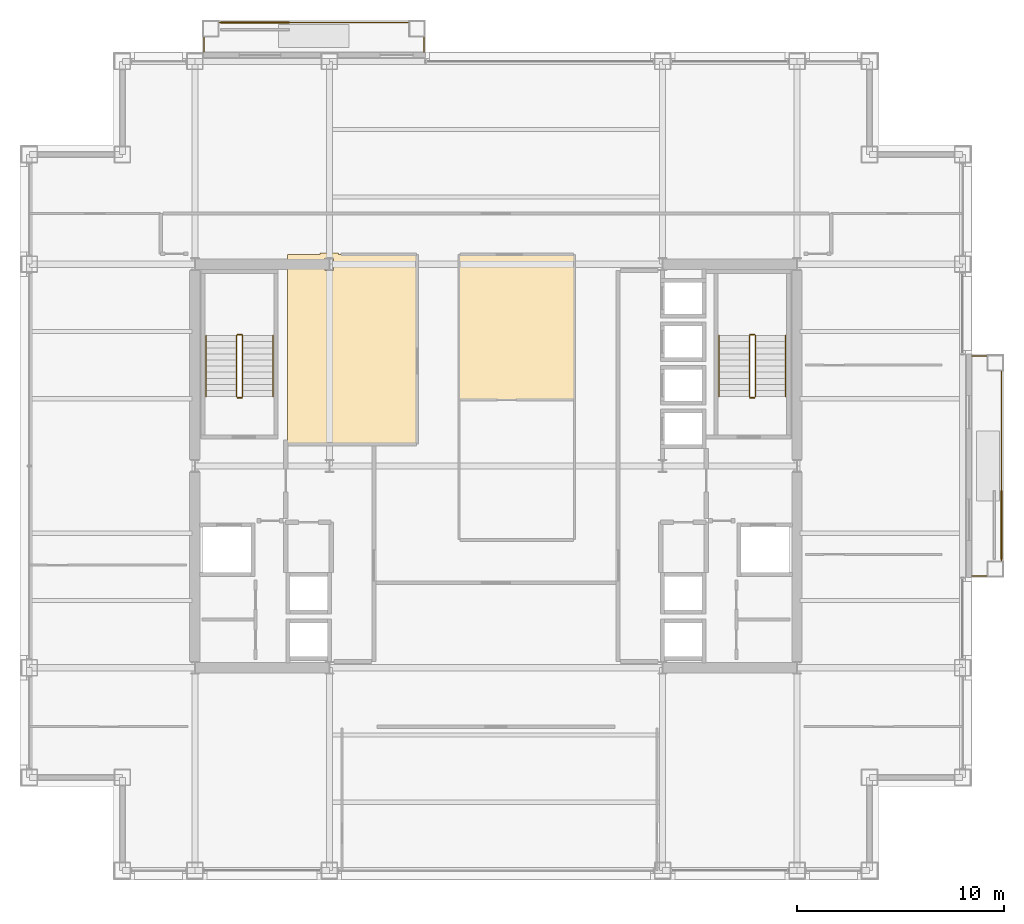
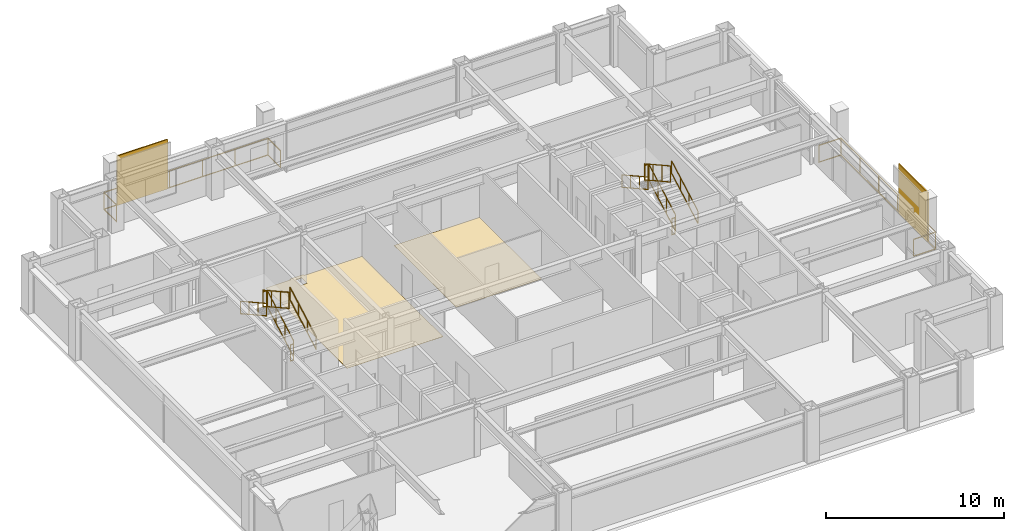
# One storey, part 28 of 29: 14 railings, 2 coverings, 2 shading devices.
"""IFC4 building model written with IfcOpenShell, lengths in metres."""

from ifc_helpers import new_model, si_unit, direction, frame, origin, origin_2d, place, context, subcontext, project, spatial, polyline, rectangle, outline, extrude, material, layer, layer_set, type_object, element, save


model = new_model("IFC4")

# Units and contexts
model_context = context("Model", 3, precision=1e-05, world=origin(), true_north=direction((0.0, 1.0)))
body_context = subcontext(model_context, "Body", "Model", "MODEL_VIEW")
ifc_project = project(units=[si_unit("LENGTHUNIT", "METRE"), si_unit("AREAUNIT", "SQUARE_METRE"), si_unit("VOLUMEUNIT", "CUBIC_METRE"), si_unit("PLANEANGLEUNIT", "RADIAN"), si_unit("MASSUNIT", "GRAM", prefix="KILO")], contexts=[model_context])

# Site, building, storey
site_placement = place(None, origin())
site = spatial("IfcSite", under=ifc_project, at=site_placement, CompositionType="ELEMENT")
building_placement = place(site_placement, origin())
building = spatial("IfcBuilding", under=site, at=building_placement, Name="Brelmoor Portico Tower", CompositionType="ELEMENT")
storey_placement = place(building_placement, frame((0.0, 0.0, 127.800048828125)))
storey = spatial("IfcBuildingStorey", under=building, at=storey_placement, Name="L33", CompositionType="ELEMENT", Elevation=127.800048828125)

# Coverings
ifc_material_1 = material(Name="Solution-Dyed Nylon Acoustic Carpet Tile", Category="textile")
ifc_layer_1 = layer(ifc_material_1, 0.013916015625)
ifc_layer_set_1 = layer_set([ifc_layer_1], Name="Solution-Dyed Nylon Acoustic Carpet Tile")
covering_type_1 = type_object("IfcCoveringType", Name="CV-FLR-CARPET-14", PredefinedType="FLOORING", material=ifc_layer_set_1)
covering_1_placement = place(storey_placement, origin())
element("IfcCovering", 1, at=covering_1_placement, inside=storey, type_object=covering_type_1, Name="L33 Architectural Floor Finish 01", PredefinedType="FLOORING", context=body_context, shape_type="SweptSolid", body=[
    extrude(outline(polyline([(-10.080078125, 10.2099609375), (-8.5, 10.2099609375), (-8.5, 10.300048828125), (-7.60009765625, 10.300048828125), (-7.60009765625, 10.2099609375), (-3.840087890625, 10.2099609375), (-3.840087890625, 1.090087890625), (-10.080078125, 1.090087890625), (-10.080078125, 10.2099609375)]), holes=[polyline([(-7.85009765625, 9.449951171875), (-7.85009765625, 10.050048828125), (-8.25, 10.050048828125), (-8.25, 9.449951171875), (-7.85009765625, 9.449951171875)])]), origin(), (0.0, 0.0, 1.0), 0.013916015625),
])
ifc_material_2 = material(Name="Rectified Vitrified Porcelain Floor Tile", Category="ceramic")
ifc_layer_2 = layer(ifc_material_2, 0.01806640625)
ifc_layer_set_2 = layer_set([ifc_layer_2], Name="Rectified Vitrified Porcelain Floor Tile")
covering_type_2 = type_object("IfcCoveringType", Name="CV-FLR-PORCELAIN-18", PredefinedType="FLOORING", material=ifc_layer_set_2)
covering_2_placement = place(storey_placement, origin())
element("IfcCovering", 2, at=covering_2_placement, inside=storey, type_object=covering_type_2, Name="L33 Architectural Floor Finish 02", PredefinedType="FLOORING", context=body_context, shape_type="SweptSolid", body=[
    extrude(outline(polyline([(-1.760009765625, 3.219970703125), (-1.760009765625, 10.2099609375), (3.780029296875, 10.2099609375), (3.780029296875, 3.219970703125), (-1.760009765625, 3.219970703125)])), origin(), (0.0, 0.0, 1.0), 0.01806640625),
])

# Railings
ifc_material_3 = material(Name="Perforated Pale Champagne Aluminium Fretwork Guard", Category="aluminium")
railing_type_1 = type_object("IfcRailingType", Name="RL-BALUSTRADE-1200", PredefinedType="BALUSTRADE", material=ifc_material_3)
railing_1_placement = place(storey_placement, frame((-14.1201171875, 20.0, 0.0)))
element("IfcRailing", 3, at=railing_1_placement, inside=storey, type_object=railing_type_1, Name="L33 Tree Balcony Fretwork Balustrade N", PredefinedType="BALUSTRADE", context=body_context, shape_type="SweptSolid", body=[
    extrude(rectangle(XDim=0.048095703125, YDim=0.048095703125, at=origin_2d()), frame((0.0, 0.0, 1.17578125), z_axis=(0.0, 1.0, 0.0), x_axis=(-1.0, 0.0, 0.0)), (0.0, 0.0, 1.0), 1.429931640625),
    extrude(rectangle(XDim=0.048095703125, YDim=0.048095703125, at=origin_2d()), frame((0.0, 0.0, 0.02392578125), z_axis=(0.0, 1.0, 0.0), x_axis=(-1.0, 0.0, 0.0)), (0.0, 0.0, 1.0), 1.429931640625),
    extrude(rectangle(XDim=0.048095703125, YDim=0.048095703125, at=origin_2d()), frame((0.0, 1.429931640625, 1.17578125), z_axis=(1.0, 0.0, 0.0), x_axis=(0.0, 1.0, 0.0)), (0.0, 0.0, 1.0), 10.64013671875),
    extrude(rectangle(XDim=0.048095703125, YDim=0.048095703125, at=origin_2d()), frame((0.0, 1.429931640625, 0.02392578125), z_axis=(1.0, 0.0, 0.0), x_axis=(0.0, 1.0, 0.0)), (0.0, 0.0, 1.0), 10.64013671875),
    extrude(rectangle(XDim=0.048095703125, YDim=0.048095703125, at=origin_2d()), frame((10.64013671875, 1.429931640625, 1.17578125), z_axis=(0.0, -1.0, 0.0), x_axis=(1.0, 0.0, 0.0)), (0.0, 0.0, 1.0), 1.429931640625),
    extrude(rectangle(XDim=0.048095703125, YDim=0.048095703125, at=origin_2d()), frame((10.64013671875, 1.429931640625, 0.02392578125), z_axis=(0.0, -1.0, 0.0), x_axis=(1.0, 0.0, 0.0)), (0.0, 0.0, 1.0), 1.429931640625),
    extrude(rectangle(XDim=0.0419921875, YDim=0.0419921875, at=origin_2d()), origin(), (0.0, 0.0, 1.0), 1.15185546875),
    extrude(rectangle(XDim=0.0419921875, YDim=0.0419921875, at=origin_2d()), frame((0.0, 1.429931640625, 0.0)), (0.0, 0.0, 1.0), 1.15185546875),
    extrude(rectangle(XDim=0.0419921875, YDim=0.0419921875, at=origin_2d()), frame((2.1279296875, 1.429931640625, 0.0)), (0.0, 0.0, 1.0), 1.15185546875),
    extrude(rectangle(XDim=0.0419921875, YDim=0.0419921875, at=origin_2d()), frame((4.256103515625, 1.429931640625, 0.0)), (0.0, 0.0, 1.0), 1.15185546875),
    extrude(rectangle(XDim=0.0419921875, YDim=0.0419921875, at=origin_2d()), frame((6.384033203125, 1.429931640625, 0.0)), (0.0, 0.0, 1.0), 1.15185546875),
    extrude(rectangle(XDim=0.0419921875, YDim=0.0419921875, at=origin_2d()), frame((8.51220703125, 1.429931640625, 0.0)), (0.0, 0.0, 1.0), 1.15185546875),
    extrude(rectangle(XDim=0.0419921875, YDim=0.0419921875, at=origin_2d()), frame((10.64013671875, 1.429931640625, 0.0)), (0.0, 0.0, 1.0), 1.15185546875),
    extrude(rectangle(XDim=0.0419921875, YDim=0.0419921875, at=origin_2d()), frame((10.64013671875, 0.0, 0.0)), (0.0, 0.0, 1.0), 1.15185546875),
])
railing_2_placement = place(storey_placement, frame((23.0, -5.320068359375, 0.0)))
element("IfcRailing", 4, at=railing_2_placement, inside=storey, type_object=railing_type_1, Name="L33 Tree Balcony Fretwork Balustrade E", PredefinedType="BALUSTRADE", context=body_context, shape_type="SweptSolid", body=[
    extrude(rectangle(XDim=0.048095703125, YDim=0.048095703125, at=origin_2d()), frame((0.0, 0.0, 1.17578125), z_axis=(1.0, 0.0, 0.0), x_axis=(0.0, 1.0, 0.0)), (0.0, 0.0, 1.0), 1.429931640625),
    extrude(rectangle(XDim=0.048095703125, YDim=0.048095703125, at=origin_2d()), frame((0.0, 0.0, 0.02392578125), z_axis=(1.0, 0.0, 0.0), x_axis=(0.0, 1.0, 0.0)), (0.0, 0.0, 1.0), 1.429931640625),
    extrude(rectangle(XDim=0.048095703125, YDim=0.048095703125, at=origin_2d()), frame((1.429931640625, 0.0, 1.17578125), z_axis=(0.0, 1.0, 0.0), x_axis=(-1.0, 0.0, 0.0)), (0.0, 0.0, 1.0), 10.64013671875),
    extrude(rectangle(XDim=0.048095703125, YDim=0.048095703125, at=origin_2d()), frame((1.429931640625, 0.0, 0.02392578125), z_axis=(0.0, 1.0, 0.0), x_axis=(-1.0, 0.0, 0.0)), (0.0, 0.0, 1.0), 10.64013671875),
    extrude(rectangle(XDim=0.048095703125, YDim=0.048095703125, at=origin_2d()), frame((1.429931640625, 10.64013671875, 1.17578125), z_axis=(-1.0, 0.0, 0.0), x_axis=(0.0, -1.0, 0.0)), (0.0, 0.0, 1.0), 1.429931640625),
    extrude(rectangle(XDim=0.048095703125, YDim=0.048095703125, at=origin_2d()), frame((1.429931640625, 10.64013671875, 0.02392578125), z_axis=(-1.0, 0.0, 0.0), x_axis=(0.0, -1.0, 0.0)), (0.0, 0.0, 1.0), 1.429931640625),
    extrude(rectangle(XDim=0.0419921875, YDim=0.0419921875, at=origin_2d()), origin(), (0.0, 0.0, 1.0), 1.15185546875),
    extrude(rectangle(XDim=0.0419921875, YDim=0.0419921875, at=origin_2d()), frame((1.429931640625, 0.0, 0.0)), (0.0, 0.0, 1.0), 1.15185546875),
    extrude(rectangle(XDim=0.0419921875, YDim=0.0419921875, at=origin_2d()), frame((1.429931640625, 2.1279296875, 0.0)), (0.0, 0.0, 1.0), 1.15185546875),
    extrude(rectangle(XDim=0.0419921875, YDim=0.0419921875, at=origin_2d()), frame((1.429931640625, 4.256103515625, 0.0)), (0.0, 0.0, 1.0), 1.15185546875),
    extrude(rectangle(XDim=0.0419921875, YDim=0.0419921875, at=origin_2d()), frame((1.429931640625, 6.384033203125, 0.0)), (0.0, 0.0, 1.0), 1.15185546875),
    extrude(rectangle(XDim=0.0419921875, YDim=0.0419921875, at=origin_2d()), frame((1.429931640625, 8.51220703125, 0.0)), (0.0, 0.0, 1.0), 1.15185546875),
    extrude(rectangle(XDim=0.0419921875, YDim=0.0419921875, at=origin_2d()), frame((1.429931640625, 10.64013671875, 0.0)), (0.0, 0.0, 1.0), 1.15185546875),
    extrude(rectangle(XDim=0.0419921875, YDim=0.0419921875, at=origin_2d()), frame((0.0, 10.64013671875, 0.0)), (0.0, 0.0, 1.0), 1.15185546875),
])
ifc_material_4 = material(Name="Painted Tubular Steel Q235B", Category="steel")
railing_type_2 = type_object("IfcRailingType", Name="RL-STAIR-GUARD", PredefinedType="GUARDRAIL", material=ifc_material_4)
railing_3_placement = place(storey_placement, frame((-12.239990234375, 3.35009765625, 0.16357421875)))
element("IfcRailing", 5, at=railing_3_placement, inside=storey, type_object=railing_type_2, Name="L33 ST-W stair guard 1", PredefinedType="GUARDRAIL", context=body_context, shape_type="SweptSolid", body=[
    extrude(rectangle(XDim=0.048095703125, YDim=0.048095703125, at=origin_2d()), frame((0.0, 0.0, 1.1259765625), z_axis=(0.0, 0.874457516365, 0.485102104791), x_axis=(-1.0, 0.0, 0.0)), (0.0, 0.0, 1.0), 3.37353515625),
    extrude(rectangle(XDim=0.048095703125, YDim=0.048095703125, at=origin_2d()), frame((0.0, 0.0, 0.02392578125), z_axis=(0.0, 0.874457516365, 0.485102104791), x_axis=(-1.0, 0.0, 0.0)), (0.0, 0.0, 1.0), 3.37353515625),
    extrude(rectangle(XDim=0.0419921875, YDim=0.0419921875, at=origin_2d()), origin(), (0.0, 0.0, 1.0), 1.101806640625),
    extrude(rectangle(XDim=0.0419921875, YDim=0.0419921875, at=origin_2d()), frame((0.0, 0.9833984375, 0.54541015625)), (0.0, 0.0, 1.0), 1.101806640625),
    extrude(rectangle(XDim=0.0419921875, YDim=0.0419921875, at=origin_2d()), frame((0.0, 1.966552734375, 1.091064453125)), (0.0, 0.0, 1.0), 1.101806640625),
    extrude(rectangle(XDim=0.0419921875, YDim=0.0419921875, at=origin_2d()), frame((0.0, 2.949951171875, 1.636474609375)), (0.0, 0.0, 1.0), 1.101806640625),
])
railing_4_placement = place(storey_placement, frame((-12.2900390625, 6.35009765625, 1.800048828125)))
element("IfcRailing", 6, at=railing_4_placement, inside=storey, type_object=railing_type_2, Name="L33 ST-W stair guard 2", PredefinedType="GUARDRAIL", context=body_context, shape_type="SweptSolid", body=[
    extrude(rectangle(XDim=0.048095703125, YDim=0.048095703125, at=origin_2d()), frame((0.0, 0.0, 1.1259765625), z_axis=(-1.0, 0.0, 0.0), x_axis=(0.0, -1.0, 0.0)), (0.0, 0.0, 1.0), 0.199951171875),
    extrude(rectangle(XDim=0.048095703125, YDim=0.048095703125, at=origin_2d()), frame((0.0, 0.0, 0.02392578125), z_axis=(-1.0, 0.0, 0.0), x_axis=(0.0, -1.0, 0.0)), (0.0, 0.0, 1.0), 0.199951171875),
    extrude(rectangle(XDim=0.0419921875, YDim=0.0419921875, at=origin_2d()), origin(), (0.0, 0.0, 1.0), 1.101806640625),
    extrude(rectangle(XDim=0.0419921875, YDim=0.0419921875, at=origin_2d()), frame((-0.199951171875, 0.0, 0.0)), (0.0, 0.0, 1.0), 1.101806640625),
])
railing_5_placement = place(storey_placement, frame((-12.5400390625, 6.300048828125, 1.963623046875)))
element("IfcRailing", 7, at=railing_5_placement, inside=storey, type_object=railing_type_2, Name="L33 ST-W stair guard 3", PredefinedType="GUARDRAIL", context=body_context, shape_type="SweptSolid", body=[
    extrude(rectangle(XDim=0.048095703125, YDim=0.048095703125, at=origin_2d()), frame((0.0, 0.0, 1.1259765625), z_axis=(0.0, -0.87448821551, 0.485046761595), x_axis=(1.0, 0.0, 0.0)), (0.0, 0.0, 1.0), 3.373291015625),
    extrude(rectangle(XDim=0.048095703125, YDim=0.048095703125, at=origin_2d()), frame((0.0, 0.0, 0.02392578125), z_axis=(0.0, -0.87448821551, 0.485046761595), x_axis=(1.0, 0.0, 0.0)), (0.0, 0.0, 1.0), 3.373291015625),
    extrude(rectangle(XDim=0.0419921875, YDim=0.0419921875, at=origin_2d()), origin(), (0.0, 0.0, 1.0), 1.101806640625),
    extrude(rectangle(XDim=0.0419921875, YDim=0.0419921875, at=origin_2d()), frame((0.0, -0.9833984375, 0.54541015625)), (0.0, 0.0, 1.0), 1.101806640625),
    extrude(rectangle(XDim=0.0419921875, YDim=0.0419921875, at=origin_2d()), frame((0.0, -1.966552734375, 1.0908203125)), (0.0, 0.0, 1.0), 1.101806640625),
    extrude(rectangle(XDim=0.0419921875, YDim=0.0419921875, at=origin_2d()), frame((0.0, -2.949951171875, 1.63623046875)), (0.0, 0.0, 1.0), 1.101806640625),
])
railing_6_placement = place(storey_placement, frame((-12.2900390625, 3.300048828125, 0.0)))
element("IfcRailing", 8, at=railing_6_placement, inside=storey, type_object=railing_type_2, Name="L33 ST-W stair guard 4", PredefinedType="GUARDRAIL", context=body_context, shape_type="SweptSolid", body=[
    extrude(rectangle(XDim=0.048095703125, YDim=0.048095703125, at=origin_2d()), frame((0.0, 0.0, 1.1259765625), z_axis=(-1.0, 0.0, 0.0), x_axis=(0.0, -1.0, 0.0)), (0.0, 0.0, 1.0), 0.199951171875),
    extrude(rectangle(XDim=0.048095703125, YDim=0.048095703125, at=origin_2d()), frame((0.0, 0.0, 0.02392578125), z_axis=(-1.0, 0.0, 0.0), x_axis=(0.0, -1.0, 0.0)), (0.0, 0.0, 1.0), 0.199951171875),
    extrude(rectangle(XDim=0.0419921875, YDim=0.0419921875, at=origin_2d()), origin(), (0.0, 0.0, 1.0), 1.101806640625),
    extrude(rectangle(XDim=0.0419921875, YDim=0.0419921875, at=origin_2d()), frame((-0.199951171875, 0.0, 0.0)), (0.0, 0.0, 1.0), 1.101806640625),
])
railing_7_placement = place(storey_placement, frame((12.5400390625, 3.35009765625, 0.16357421875)))
element("IfcRailing", 9, at=railing_7_placement, inside=storey, type_object=railing_type_2, Name="L33 ST-E stair guard 1", PredefinedType="GUARDRAIL", context=body_context, shape_type="SweptSolid", body=[
    extrude(rectangle(XDim=0.048095703125, YDim=0.048095703125, at=origin_2d()), frame((0.0, 0.0, 1.1259765625), z_axis=(0.0, 0.874457516365, 0.485102104791), x_axis=(-1.0, 0.0, 0.0)), (0.0, 0.0, 1.0), 3.37353515625),
    extrude(rectangle(XDim=0.048095703125, YDim=0.048095703125, at=origin_2d()), frame((0.0, 0.0, 0.02392578125), z_axis=(0.0, 0.874457516365, 0.485102104791), x_axis=(-1.0, 0.0, 0.0)), (0.0, 0.0, 1.0), 3.37353515625),
    extrude(rectangle(XDim=0.0419921875, YDim=0.0419921875, at=origin_2d()), origin(), (0.0, 0.0, 1.0), 1.101806640625),
    extrude(rectangle(XDim=0.0419921875, YDim=0.0419921875, at=origin_2d()), frame((0.0, 0.9833984375, 0.54541015625)), (0.0, 0.0, 1.0), 1.101806640625),
    extrude(rectangle(XDim=0.0419921875, YDim=0.0419921875, at=origin_2d()), frame((0.0, 1.966552734375, 1.091064453125)), (0.0, 0.0, 1.0), 1.101806640625),
    extrude(rectangle(XDim=0.0419921875, YDim=0.0419921875, at=origin_2d()), frame((0.0, 2.949951171875, 1.636474609375)), (0.0, 0.0, 1.0), 1.101806640625),
])
railing_8_placement = place(storey_placement, frame((12.489990234375, 6.35009765625, 1.800048828125)))
element("IfcRailing", 10, at=railing_8_placement, inside=storey, type_object=railing_type_2, Name="L33 ST-E stair guard 2", PredefinedType="GUARDRAIL", context=body_context, shape_type="SweptSolid", body=[
    extrude(rectangle(XDim=0.048095703125, YDim=0.048095703125, at=origin_2d()), frame((0.0, 0.0, 1.1259765625), z_axis=(-1.0, 0.0, 0.0), x_axis=(0.0, -1.0, 0.0)), (0.0, 0.0, 1.0), 0.199951171875),
    extrude(rectangle(XDim=0.048095703125, YDim=0.048095703125, at=origin_2d()), frame((0.0, 0.0, 0.02392578125), z_axis=(-1.0, 0.0, 0.0), x_axis=(0.0, -1.0, 0.0)), (0.0, 0.0, 1.0), 0.199951171875),
    extrude(rectangle(XDim=0.0419921875, YDim=0.0419921875, at=origin_2d()), origin(), (0.0, 0.0, 1.0), 1.101806640625),
    extrude(rectangle(XDim=0.0419921875, YDim=0.0419921875, at=origin_2d()), frame((-0.199951171875, 0.0, 0.0)), (0.0, 0.0, 1.0), 1.101806640625),
])
railing_9_placement = place(storey_placement, frame((12.239990234375, 6.300048828125, 1.963623046875)))
element("IfcRailing", 11, at=railing_9_placement, inside=storey, type_object=railing_type_2, Name="L33 ST-E stair guard 3", PredefinedType="GUARDRAIL", context=body_context, shape_type="SweptSolid", body=[
    extrude(rectangle(XDim=0.048095703125, YDim=0.048095703125, at=origin_2d()), frame((0.0, 0.0, 1.1259765625), z_axis=(0.0, -0.87448821551, 0.485046761595), x_axis=(1.0, 0.0, 0.0)), (0.0, 0.0, 1.0), 3.373291015625),
    extrude(rectangle(XDim=0.048095703125, YDim=0.048095703125, at=origin_2d()), frame((0.0, 0.0, 0.02392578125), z_axis=(0.0, -0.87448821551, 0.485046761595), x_axis=(1.0, 0.0, 0.0)), (0.0, 0.0, 1.0), 3.373291015625),
    extrude(rectangle(XDim=0.0419921875, YDim=0.0419921875, at=origin_2d()), origin(), (0.0, 0.0, 1.0), 1.101806640625),
    extrude(rectangle(XDim=0.0419921875, YDim=0.0419921875, at=origin_2d()), frame((0.0, -0.9833984375, 0.54541015625)), (0.0, 0.0, 1.0), 1.101806640625),
    extrude(rectangle(XDim=0.0419921875, YDim=0.0419921875, at=origin_2d()), frame((0.0, -1.966552734375, 1.0908203125)), (0.0, 0.0, 1.0), 1.101806640625),
    extrude(rectangle(XDim=0.0419921875, YDim=0.0419921875, at=origin_2d()), frame((0.0, -2.949951171875, 1.63623046875)), (0.0, 0.0, 1.0), 1.101806640625),
])
railing_10_placement = place(storey_placement, frame((12.489990234375, 3.300048828125, 0.0)))
element("IfcRailing", 12, at=railing_10_placement, inside=storey, type_object=railing_type_2, Name="L33 ST-E stair guard 4", PredefinedType="GUARDRAIL", context=body_context, shape_type="SweptSolid", body=[
    extrude(rectangle(XDim=0.048095703125, YDim=0.048095703125, at=origin_2d()), frame((0.0, 0.0, 1.1259765625), z_axis=(-1.0, 0.0, 0.0), x_axis=(0.0, -1.0, 0.0)), (0.0, 0.0, 1.0), 0.199951171875),
    extrude(rectangle(XDim=0.048095703125, YDim=0.048095703125, at=origin_2d()), frame((0.0, 0.0, 0.02392578125), z_axis=(-1.0, 0.0, 0.0), x_axis=(0.0, -1.0, 0.0)), (0.0, 0.0, 1.0), 0.199951171875),
    extrude(rectangle(XDim=0.0419921875, YDim=0.0419921875, at=origin_2d()), origin(), (0.0, 0.0, 1.0), 1.101806640625),
    extrude(rectangle(XDim=0.0419921875, YDim=0.0419921875, at=origin_2d()), frame((-0.199951171875, 0.0, 0.0)), (0.0, 0.0, 1.0), 1.101806640625),
])
ifc_material_5 = material(Name="Brushed Stainless Steel 304", Category="steel")
railing_type_3 = type_object("IfcRailingType", Name="RL-STAIR-HANDRAIL", PredefinedType="HANDRAIL", material=ifc_material_5)
railing_11_placement = place(storey_placement, frame((-10.780029296875, 3.35009765625, 0.16357421875)))
element("IfcRailing", 13, at=railing_11_placement, inside=storey, type_object=railing_type_3, Name="L33 ST-W stair handrail 1", PredefinedType="HANDRAIL", context=body_context, shape_type="SweptSolid", body=[
    extrude(rectangle(XDim=0.048095703125, YDim=0.048095703125, at=origin_2d()), frame((0.0, 0.0, 0.8759765625), z_axis=(0.0, 0.874457516365, 0.485102104791), x_axis=(-1.0, 0.0, 0.0)), (0.0, 0.0, 1.0), 3.37353515625),
    extrude(rectangle(XDim=0.048095703125, YDim=0.048095703125, at=origin_2d()), frame((0.0, 0.0, 0.02392578125), z_axis=(0.0, 0.874457516365, 0.485102104791), x_axis=(-1.0, 0.0, 0.0)), (0.0, 0.0, 1.0), 3.37353515625),
    extrude(rectangle(XDim=0.0419921875, YDim=0.0419921875, at=origin_2d()), origin(), (0.0, 0.0, 1.0), 0.851806640625),
    extrude(rectangle(XDim=0.0419921875, YDim=0.0419921875, at=origin_2d()), frame((0.0, 0.9833984375, 0.54541015625)), (0.0, 0.0, 1.0), 0.851806640625),
    extrude(rectangle(XDim=0.0419921875, YDim=0.0419921875, at=origin_2d()), frame((0.0, 1.966552734375, 1.091064453125)), (0.0, 0.0, 1.0), 0.851806640625),
    extrude(rectangle(XDim=0.0419921875, YDim=0.0419921875, at=origin_2d()), frame((0.0, 2.949951171875, 1.636474609375)), (0.0, 0.0, 1.0), 0.851806640625),
])
railing_12_placement = place(storey_placement, frame((-14.0, 6.300048828125, 1.963623046875)))
element("IfcRailing", 14, at=railing_12_placement, inside=storey, type_object=railing_type_3, Name="L33 ST-W stair handrail 2", PredefinedType="HANDRAIL", context=body_context, shape_type="SweptSolid", body=[
    extrude(rectangle(XDim=0.048095703125, YDim=0.048095703125, at=origin_2d()), frame((0.0, 0.0, 0.8759765625), z_axis=(0.0, -0.87448821551, 0.485046761595), x_axis=(1.0, 0.0, 0.0)), (0.0, 0.0, 1.0), 3.373291015625),
    extrude(rectangle(XDim=0.048095703125, YDim=0.048095703125, at=origin_2d()), frame((0.0, 0.0, 0.02392578125), z_axis=(0.0, -0.87448821551, 0.485046761595), x_axis=(1.0, 0.0, 0.0)), (0.0, 0.0, 1.0), 3.373291015625),
    extrude(rectangle(XDim=0.0419921875, YDim=0.0419921875, at=origin_2d()), origin(), (0.0, 0.0, 1.0), 0.851806640625),
    extrude(rectangle(XDim=0.0419921875, YDim=0.0419921875, at=origin_2d()), frame((0.0, -0.9833984375, 0.54541015625)), (0.0, 0.0, 1.0), 0.851806640625),
    extrude(rectangle(XDim=0.0419921875, YDim=0.0419921875, at=origin_2d()), frame((0.0, -1.966552734375, 1.0908203125)), (0.0, 0.0, 1.0), 0.851806640625),
    extrude(rectangle(XDim=0.0419921875, YDim=0.0419921875, at=origin_2d()), frame((0.0, -2.949951171875, 1.63623046875)), (0.0, 0.0, 1.0), 0.851806640625),
])
railing_13_placement = place(storey_placement, frame((14.0, 3.35009765625, 0.16357421875)))
element("IfcRailing", 15, at=railing_13_placement, inside=storey, type_object=railing_type_3, Name="L33 ST-E stair handrail 1", PredefinedType="HANDRAIL", context=body_context, shape_type="SweptSolid", body=[
    extrude(rectangle(XDim=0.048095703125, YDim=0.048095703125, at=origin_2d()), frame((0.0, 0.0, 0.8759765625), z_axis=(0.0, 0.874457516365, 0.485102104791), x_axis=(-1.0, 0.0, 0.0)), (0.0, 0.0, 1.0), 3.37353515625),
    extrude(rectangle(XDim=0.048095703125, YDim=0.048095703125, at=origin_2d()), frame((0.0, 0.0, 0.02392578125), z_axis=(0.0, 0.874457516365, 0.485102104791), x_axis=(-1.0, 0.0, 0.0)), (0.0, 0.0, 1.0), 3.37353515625),
    extrude(rectangle(XDim=0.0419921875, YDim=0.0419921875, at=origin_2d()), origin(), (0.0, 0.0, 1.0), 0.851806640625),
    extrude(rectangle(XDim=0.0419921875, YDim=0.0419921875, at=origin_2d()), frame((0.0, 0.9833984375, 0.54541015625)), (0.0, 0.0, 1.0), 0.851806640625),
    extrude(rectangle(XDim=0.0419921875, YDim=0.0419921875, at=origin_2d()), frame((0.0, 1.966552734375, 1.091064453125)), (0.0, 0.0, 1.0), 0.851806640625),
    extrude(rectangle(XDim=0.0419921875, YDim=0.0419921875, at=origin_2d()), frame((0.0, 2.949951171875, 1.636474609375)), (0.0, 0.0, 1.0), 0.851806640625),
])
railing_14_placement = place(storey_placement, frame((10.780029296875, 6.300048828125, 1.963623046875)))
element("IfcRailing", 16, at=railing_14_placement, inside=storey, type_object=railing_type_3, Name="L33 ST-E stair handrail 2", PredefinedType="HANDRAIL", context=body_context, shape_type="SweptSolid", body=[
    extrude(rectangle(XDim=0.048095703125, YDim=0.048095703125, at=origin_2d()), frame((0.0, 0.0, 0.8759765625), z_axis=(0.0, -0.87448821551, 0.485046761595), x_axis=(1.0, 0.0, 0.0)), (0.0, 0.0, 1.0), 3.373291015625),
    extrude(rectangle(XDim=0.048095703125, YDim=0.048095703125, at=origin_2d()), frame((0.0, 0.0, 0.02392578125), z_axis=(0.0, -0.87448821551, 0.485046761595), x_axis=(1.0, 0.0, 0.0)), (0.0, 0.0, 1.0), 3.373291015625),
    extrude(rectangle(XDim=0.0419921875, YDim=0.0419921875, at=origin_2d()), origin(), (0.0, 0.0, 1.0), 0.851806640625),
    extrude(rectangle(XDim=0.0419921875, YDim=0.0419921875, at=origin_2d()), frame((0.0, -0.9833984375, 0.54541015625)), (0.0, 0.0, 1.0), 0.851806640625),
    extrude(rectangle(XDim=0.0419921875, YDim=0.0419921875, at=origin_2d()), frame((0.0, -1.966552734375, 1.0908203125)), (0.0, 0.0, 1.0), 0.851806640625),
    extrude(rectangle(XDim=0.0419921875, YDim=0.0419921875, at=origin_2d()), frame((0.0, -2.949951171875, 1.63623046875)), (0.0, 0.0, 1.0), 0.851806640625),
])

# Shading devices
ifc_material_6 = material(Name="Powder-Coated Aluminium Shuttered Jalousie", Category="aluminium")
ifc_layer_3 = layer(ifc_material_6, 0.080078125)
ifc_layer_set_3 = layer_set([ifc_layer_3], Name="Powder-Coated Aluminium Shuttered Jalousie")
shading_device_type = type_object("IfcShadingDeviceType", Name="SD-JALOUSIE-LOGGIA", PredefinedType="JALOUSIE", material=ifc_layer_set_3)
for number, where, z_axis, x_axis, name in (
    (17, (-11.64990234375, 21.429931640625, 0.0), (0.0, 0.0, 1.0), (1.0, 0.0, 0.0), "L33 Loggia Shuttered Jalousie N"),
    (18, (24.429931640625, -2.85009765625, 0.0), (0.0, 0.0, 1.0), (0.0, 1.0, 0.0), "L33 Loggia Shuttered Jalousie E"),
):
    element("IfcShadingDevice", number, at=place(storey_placement, frame(where, z_axis=z_axis, x_axis=x_axis)), inside=storey, type_object=shading_device_type, Name=name, PredefinedType="JALOUSIE", context=body_context, shape_type="SweptSolid", body=[
        extrude(rectangle(XDim=3.300048828125, YDim=0.080078125, at=origin_2d()), origin(), (0.0, 0.0, 1.0), 3.39990234375),
    ])

save(model, "model.ifc")
